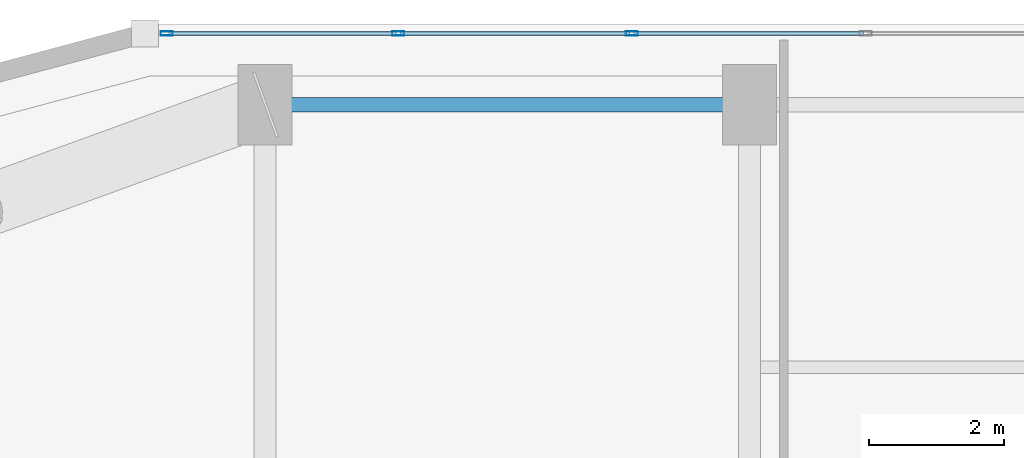
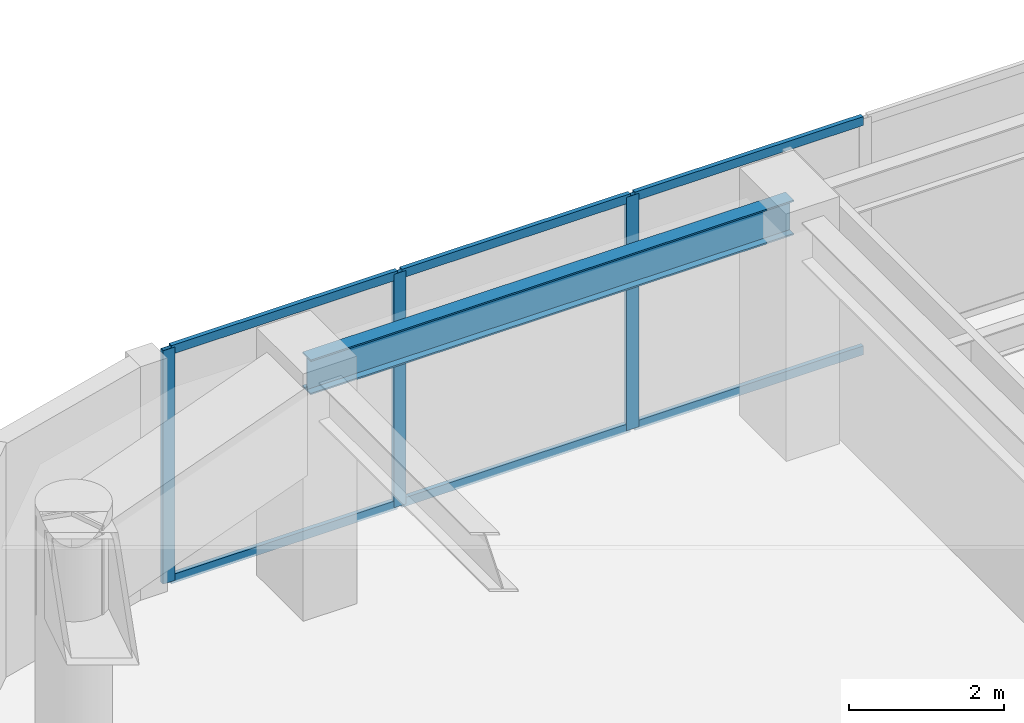
# One storey, part 17 of 30: 9 members, 1 beam, 1 element without a shape of its own.
"""IFC4 building model written with IfcOpenShell, lengths in metres."""

from ifc_helpers import new_model, si_unit, direction, frame, origin, origin_2d, place, context, subcontext, project, spatial, hollow_rectangle, i_section, extrude, material, layer, layer_set, material_profile, profile_set, type_object, element, aggregate, save


model = new_model("IFC4")

# Units and contexts
model_context = context("Model", 3, precision=1e-05, world=origin(), true_north=direction((0.0, 1.0)))
body_context = subcontext(model_context, "Body", "Model", "MODEL_VIEW")
ifc_project = project(units=[si_unit("LENGTHUNIT", "METRE"), si_unit("AREAUNIT", "SQUARE_METRE"), si_unit("VOLUMEUNIT", "CUBIC_METRE"), si_unit("PLANEANGLEUNIT", "RADIAN"), si_unit("MASSUNIT", "GRAM", prefix="KILO")], contexts=[model_context])

# Site, building, storey
site_placement = place(None, origin())
site = spatial("IfcSite", under=ifc_project, at=site_placement, CompositionType="ELEMENT")
building_placement = place(site_placement, origin())
building = spatial("IfcBuilding", under=site, at=building_placement, Name="Kiyonajd Concourse Tower", CompositionType="ELEMENT")
storey_placement = place(building_placement, frame((0.0, 0.0, 174.0)))
storey = spatial("IfcBuildingStorey", under=building, at=storey_placement, Name="L44", CompositionType="ELEMENT", Elevation=174.0)

# Beam
ifc_material_1 = material(Name="Steel ASTM A992 Grade 50", Category="steel")
ifc_material_profile_1 = material_profile(ifc_material_1, i_section(OverallWidth=0.214111328125, OverallDepth=0.549072265625, WebThickness=0.0146484375, FlangeThickness=0.023681640625, at=origin_2d()), Name="W530X138")
ifc_profile_set_1 = profile_set([ifc_material_profile_1], Name="Steel ASTM A992 Grade 50")
beam_type = type_object("IfcBeamType", Name="BM-SPAN-530A", PredefinedType="SPANDREL", material=ifc_profile_set_1)
beam_placement = place(storey_placement, frame((32.39990234375, 61.199951171875, 3.405517578125), z_axis=(-1.0, 0.0, 0.0), x_axis=(0.0, -1.0, 0.0)))
element("IfcBeam", 1, at=beam_placement, inside=storey, type_object=beam_type, Name="L44 Perimeter Bundled Tube Spandrel", PredefinedType="SPANDREL", context=body_context, shape_type="SweptSolid", body=[
    extrude(i_section(OverallWidth=0.214111328125, OverallDepth=0.549072265625, WebThickness=0.0146484375, FlangeThickness=0.023681640625, at=origin_2d()), origin(), (0.0, 0.0, 1.0), 7.199951171875),
])

# Curtain wall, members
ifc_material_2 = material(Name="Thermally Broken Anodised Aluminium", Category="aluminium")
ifc_layer = layer(ifc_material_2, 0.179931640625)
ifc_layer_set = layer_set([ifc_layer], Name="Thermally Broken Anodised Aluminium")
curtain_wall_type = type_object("IfcCurtainWallType", Name="CW-SYS-03", PredefinedType="NOTDEFINED", material=ifc_layer_set)
curtain_wall_placement = place(storey_placement, origin())
curtain_wall = element("IfcCurtainWall", 2, at=curtain_wall_placement, inside=storey, type_object=curtain_wall_type, Name="L44 Unitised Curtain Wall CW3", PredefinedType="NOTDEFINED")
ifc_material_profile_2 = material_profile(ifc_material_2, hollow_rectangle(XDim=0.06494140625, YDim=0.179931640625, WallThickness=0.00390625, at=origin_2d()), Name="MULL-65x180")
ifc_profile_set_2 = profile_set([ifc_material_profile_2], Name="Thermally Broken Anodised Aluminium")
member_type_1 = type_object("IfcMemberType", Name="MB-CW-MULL1", PredefinedType="MULLION", material=ifc_profile_set_2)
member_1_placement = place(storey_placement, frame((23.740966796875, 62.260009765625, 0.0), z_axis=(0.0, 0.0, 1.0), x_axis=(0.0, 1.0, 0.0)))
member_1 = element("IfcMember", 3, at=member_1_placement, type_object=member_type_1, Name="CW3 mullion 1", PredefinedType="MULLION", context=body_context, shape_type="SweptSolid", body=[
    extrude(hollow_rectangle(XDim=0.06494140625, YDim=0.179931640625, WallThickness=0.00390625, at=origin_2d()), origin(), (0.0, 0.0, 1.0), 3.679931640625),
])
member_2_placement = place(storey_placement, frame((27.180908203125, 62.260009765625, 0.0), z_axis=(0.0, 0.0, 1.0), x_axis=(0.0, 1.0, 0.0)))
member_2 = element("IfcMember", 4, at=member_2_placement, type_object=member_type_1, Name="CW3 mullion 2", PredefinedType="MULLION", context=body_context, shape_type="SweptSolid", body=[
    extrude(hollow_rectangle(XDim=0.06494140625, YDim=0.179931640625, WallThickness=0.00390625, at=origin_2d()), origin(), (0.0, 0.0, 1.0), 3.679931640625),
])
member_3_placement = place(storey_placement, frame((30.6533203125, 62.260009765625, 0.0), z_axis=(0.0, 0.0, 1.0), x_axis=(0.0, 1.0, 0.0)))
member_3 = element("IfcMember", 5, at=member_3_placement, type_object=member_type_1, Name="CW3 mullion 3", PredefinedType="MULLION", context=body_context, shape_type="SweptSolid", body=[
    extrude(hollow_rectangle(XDim=0.06494140625, YDim=0.179931640625, WallThickness=0.00390625, at=origin_2d()), origin(), (0.0, 0.0, 1.0), 3.679931640625),
])
ifc_material_profile_3 = material_profile(ifc_material_2, hollow_rectangle(XDim=0.06494140625, YDim=0.139892578125, WallThickness=0.00390625, at=origin_2d()), Name="TRAN-65x140")
ifc_profile_set_3 = profile_set([ifc_material_profile_3], Name="Thermally Broken Anodised Aluminium")
member_type_2 = type_object("IfcMemberType", Name="MB-CW-TRAN1", PredefinedType="USERDEFINED", material=ifc_profile_set_3)
member_4_placement = place(storey_placement, frame((23.7734375, 62.260009765625, 0.032470703125), z_axis=(1.0, 0.0, 0.0), x_axis=(0.0, 1.0, 0.0)))
member_4 = element("IfcMember", 6, at=member_4_placement, type_object=member_type_2, Name="CW3 transom 1.1", ObjectType="TRANSOM", PredefinedType="USERDEFINED", context=body_context, shape_type="SweptSolid", body=[
    extrude(hollow_rectangle(XDim=0.06494140625, YDim=0.139892578125, WallThickness=0.00390625, at=origin_2d()), origin(), (0.0, 0.0, 1.0), 3.374755859375),
])
member_5_placement = place(storey_placement, frame((23.7734375, 62.260009765625, 3.6474609375), z_axis=(1.0, 0.0, 0.0), x_axis=(0.0, 1.0, 0.0)))
member_5 = element("IfcMember", 7, at=member_5_placement, type_object=member_type_2, Name="CW3 transom 1.2", ObjectType="TRANSOM", PredefinedType="USERDEFINED", context=body_context, shape_type="SweptSolid", body=[
    extrude(hollow_rectangle(XDim=0.06494140625, YDim=0.139892578125, WallThickness=0.00390625, at=origin_2d()), origin(), (0.0, 0.0, 1.0), 3.374755859375),
])
member_6_placement = place(storey_placement, frame((27.21337890625, 62.260009765625, 0.032470703125), z_axis=(1.0, 0.0, 0.0), x_axis=(0.0, 1.0, 0.0)))
member_6 = element("IfcMember", 8, at=member_6_placement, type_object=member_type_2, Name="CW3 transom 2.1", ObjectType="TRANSOM", PredefinedType="USERDEFINED", context=body_context, shape_type="SweptSolid", body=[
    extrude(hollow_rectangle(XDim=0.06494140625, YDim=0.139892578125, WallThickness=0.00390625, at=origin_2d()), origin(), (0.0, 0.0, 1.0), 3.4072265625),
])
member_7_placement = place(storey_placement, frame((27.21337890625, 62.260009765625, 3.6474609375), z_axis=(1.0, 0.0, 0.0), x_axis=(0.0, 1.0, 0.0)))
member_7 = element("IfcMember", 9, at=member_7_placement, type_object=member_type_2, Name="CW3 transom 2.2", ObjectType="TRANSOM", PredefinedType="USERDEFINED", context=body_context, shape_type="SweptSolid", body=[
    extrude(hollow_rectangle(XDim=0.06494140625, YDim=0.139892578125, WallThickness=0.00390625, at=origin_2d()), origin(), (0.0, 0.0, 1.0), 3.4072265625),
])
member_8_placement = place(storey_placement, frame((30.685791015625, 62.260009765625, 0.032470703125), z_axis=(1.0, 0.0, 0.0), x_axis=(0.0, 1.0, 0.0)))
member_8 = element("IfcMember", 10, at=member_8_placement, type_object=member_type_2, Name="CW3 transom 3.1", ObjectType="TRANSOM", PredefinedType="USERDEFINED", context=body_context, shape_type="SweptSolid", body=[
    extrude(hollow_rectangle(XDim=0.06494140625, YDim=0.139892578125, WallThickness=0.00390625, at=origin_2d()), origin(), (0.0, 0.0, 1.0), 3.4072265625),
])
member_9_placement = place(storey_placement, frame((30.685791015625, 62.260009765625, 3.6474609375), z_axis=(1.0, 0.0, 0.0), x_axis=(0.0, 1.0, 0.0)))
member_9 = element("IfcMember", 11, at=member_9_placement, type_object=member_type_2, Name="CW3 transom 3.2", ObjectType="TRANSOM", PredefinedType="USERDEFINED", context=body_context, shape_type="SweptSolid", body=[
    extrude(hollow_rectangle(XDim=0.06494140625, YDim=0.139892578125, WallThickness=0.00390625, at=origin_2d()), origin(), (0.0, 0.0, 1.0), 3.4072265625),
])
aggregate(curtain_wall, [member_1, member_2, member_3, member_4, member_5, member_6, member_7, member_8, member_9])

save(model, "model.ifc")
